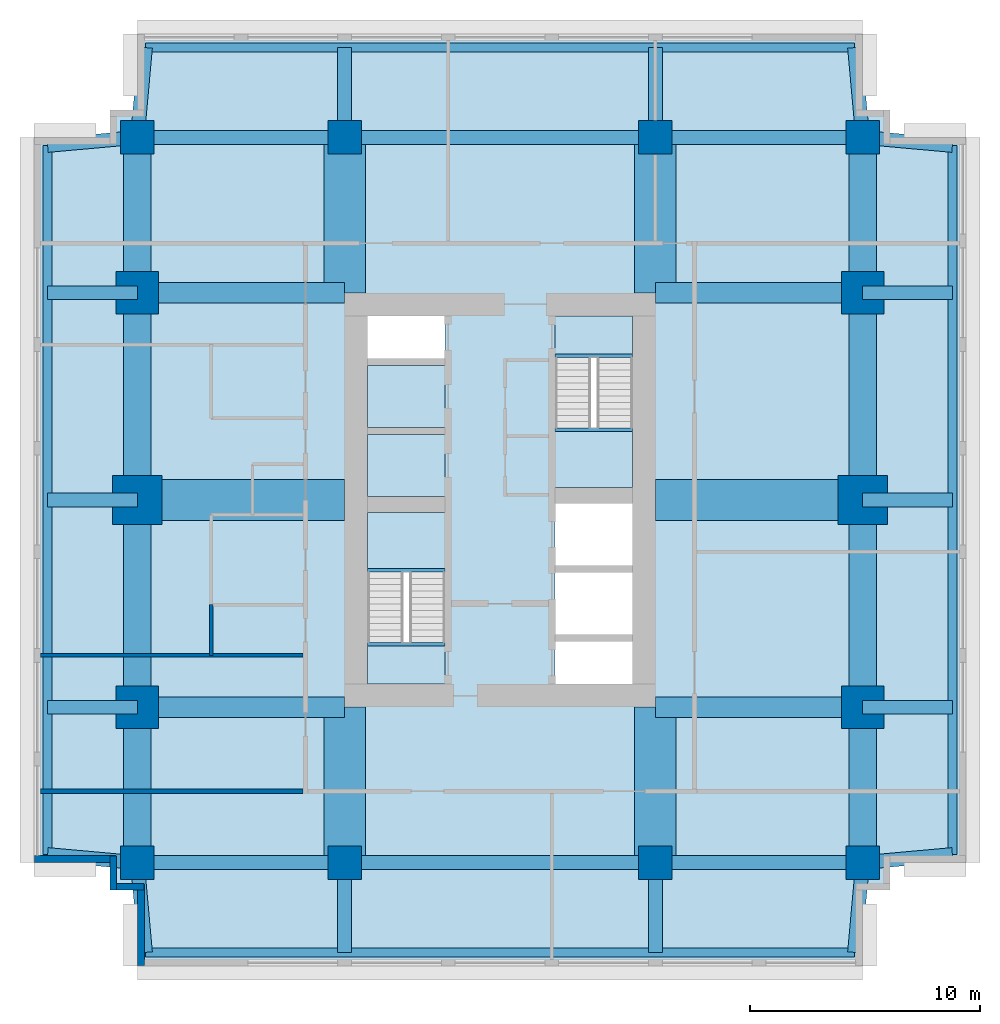
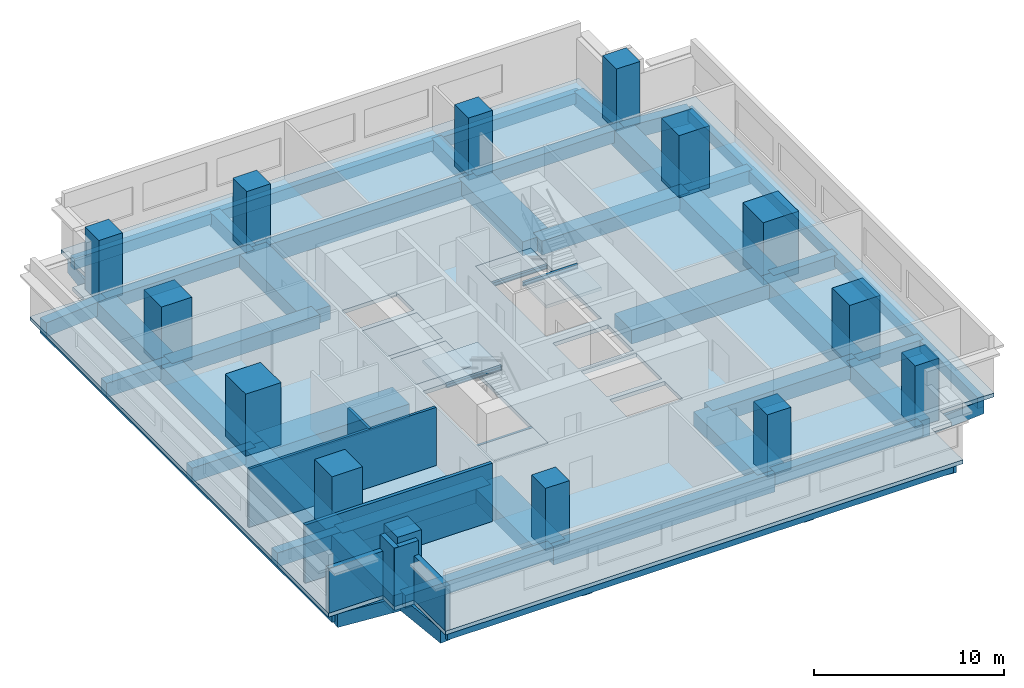
# One storey, part 1 of 5: 50 beams, 14 columns, 7 slabs, 7 walls, 2 elements without a shape of their own.
"""IFC4 building model written with IfcOpenShell, lengths in metres."""

from ifc_helpers import new_model, si_unit, direction, frame, frame_2d, origin, origin_2d, place, context, subcontext, project, spatial, polyline, rectangle, i_section, outline, extrude, material, layer, layer_set, material_profile, profile_set, type_object, element, aggregate, save


model = new_model("IFC4")

# Units and contexts
model_context = context("Model", 3, precision=1e-05, world=origin(), true_north=direction((0.0, 1.0)))
body_context = subcontext(model_context, "Body", "Model", "MODEL_VIEW")
ifc_project = project(units=[si_unit("LENGTHUNIT", "METRE"), si_unit("AREAUNIT", "SQUARE_METRE"), si_unit("VOLUMEUNIT", "CUBIC_METRE"), si_unit("PLANEANGLEUNIT", "RADIAN"), si_unit("MASSUNIT", "GRAM", prefix="KILO")], contexts=[model_context])

# Site, building, storey
site_placement = place(None, origin())
site = spatial("IfcSite", under=ifc_project, at=site_placement, CompositionType="ELEMENT")
building_placement = place(site_placement, origin())
building = spatial("IfcBuilding", under=site, at=building_placement, Name="Namib Vertical Campus", CompositionType="ELEMENT")
storey_placement = place(building_placement, frame((0.0, 0.0, 265.0)))
storey = spatial("IfcBuildingStorey", under=building, at=storey_placement, Name="L62", CompositionType="ELEMENT", Elevation=265.0)

# Columns
ifc_material_1 = material(Name="Concrete C60/75", Category="concrete")
ifc_material_profile_1 = material_profile(ifc_material_1, rectangle(XDim=1.449951171875, YDim=1.449951171875, at=origin_2d()))
ifc_profile_set_1 = profile_set([ifc_material_profile_1], Name="Concrete C60/75")
column_type_1 = type_object("IfcColumnType", Name="Column RC 1450x1450", PredefinedType="COLUMN", material=ifc_profile_set_1)
for number, where, z_axis, x_axis, name in (
    (1, (4.5, 4.5, 0.0), (0.0, 0.0, 1.0), (1.0, 0.0, 0.0), "Column C145 L62"),
    (2, (13.5, 4.5, 0.0), (0.0, 0.0, 1.0), (1.0, 0.0, 0.0), "Column C145 L62"),
    (3, (27.0, 4.5, 0.0), (0.0, 0.0, 1.0), (1.0, 0.0, 0.0), "Column C145 L62"),
    (4, (36.0, 4.5, 0.0), (0.0, 0.0, 1.0), (1.0, 0.0, 0.0), "Column C145 L62"),
    (5, (4.5, 36.0, 0.0), (0.0, 0.0, 1.0), (1.0, 0.0, 0.0), "Column C145 L62"),
    (6, (13.5, 36.0, 0.0), (0.0, 0.0, 1.0), (1.0, 0.0, 0.0), "Column C145 L62"),
    (7, (27.0, 36.0, 0.0), (0.0, 0.0, 1.0), (1.0, 0.0, 0.0), "Column C145 L62"),
    (8, (36.0, 36.0, 0.0), (0.0, 0.0, 1.0), (1.0, 0.0, 0.0), "Column C145 L62"),
):
    element("IfcColumn", number, at=place(storey_placement, frame(where, z_axis=z_axis, x_axis=x_axis)), inside=storey, type_object=column_type_1, Name=name, PredefinedType="COLUMN", context=body_context, shape_type="SweptSolid", body=[
        extrude(rectangle(XDim=1.449951171875, YDim=1.449951171875, at=origin_2d()), origin(), (0.0, 0.0, 1.0), 4.0),
    ])
ifc_material_2 = material(Name="Concrete C60/75", Category="concrete")
ifc_material_profile_2 = material_profile(ifc_material_2, rectangle(XDim=1.85009765625, YDim=1.85009765625, at=origin_2d()))
ifc_profile_set_2 = profile_set([ifc_material_profile_2], Name="Concrete C60/75")
column_type_2 = type_object("IfcColumnType", Name="Column RC 1850x1850", PredefinedType="COLUMN", material=ifc_profile_set_2)
for number, where, z_axis, x_axis, name in (
    (9, (4.5, 11.25, 0.0), (0.0, 0.0, 1.0), (1.0, 0.0, 0.0), "Column C185 L62"),
    (10, (36.0, 11.25, 0.0), (0.0, 0.0, 1.0), (1.0, 0.0, 0.0), "Column C185 L62"),
    (11, (4.5, 29.25, 0.0), (0.0, 0.0, 1.0), (1.0, 0.0, 0.0), "Column C185 L62"),
    (12, (36.0, 29.25, 0.0), (0.0, 0.0, 1.0), (1.0, 0.0, 0.0), "Column C185 L62"),
):
    element("IfcColumn", number, at=place(storey_placement, frame(where, z_axis=z_axis, x_axis=x_axis)), inside=storey, type_object=column_type_2, Name=name, PredefinedType="COLUMN", context=body_context, shape_type="SweptSolid", body=[
        extrude(rectangle(XDim=1.85009765625, YDim=1.85009765625, at=origin_2d()), origin(), (0.0, 0.0, 1.0), 4.0),
    ])
ifc_material_3 = material(Name="Concrete C60/75", Category="concrete")
ifc_material_profile_3 = material_profile(ifc_material_3, rectangle(XDim=2.14990234375, YDim=2.14990234375, at=origin_2d()))
ifc_profile_set_3 = profile_set([ifc_material_profile_3], Name="Concrete C60/75")
column_type_3 = type_object("IfcColumnType", Name="Column RC 2150x2150", PredefinedType="COLUMN", material=ifc_profile_set_3)
for number, where, z_axis, x_axis, name in (
    (13, (4.5, 20.25, 0.0), (0.0, 0.0, 1.0), (1.0, 0.0, 0.0), "Column C215 L62"),
    (14, (36.0, 20.25, 0.0), (0.0, 0.0, 1.0), (1.0, 0.0, 0.0), "Column C215 L62"),
):
    element("IfcColumn", number, at=place(storey_placement, frame(where, z_axis=z_axis, x_axis=x_axis)), inside=storey, type_object=column_type_3, Name=name, PredefinedType="COLUMN", context=body_context, shape_type="SweptSolid", body=[
        extrude(rectangle(XDim=2.14990234375, YDim=2.14990234375, at=origin_2d()), origin(), (0.0, 0.0, 1.0), 4.0),
    ])

# Beams
ifc_material_4 = material(Name="Concrete C40/50", Category="concrete")
ifc_material_profile_4 = material_profile(ifc_material_4, rectangle(XDim=0.60009765625, YDim=0.89990234375, at=origin_2d()))
ifc_profile_set_4 = profile_set([ifc_material_profile_4], Name="Concrete C40/50")
beam_type_1 = type_object("IfcBeamType", Name="Cantilever girder RC 600x900", PredefinedType="BEAM", material=ifc_profile_set_4)
beam_1_placement = place(storey_placement, frame((4.5, 4.5, -0.699951171875), z_axis=(0.089411326146, -0.995994786511, 0.0), x_axis=(0.995994786511, 0.089411326146, 0.0)))
element("IfcBeam", 15, at=beam_1_placement, inside=storey, type_object=beam_type_1, Name="Beam B3 L62", PredefinedType="BEAM", context=body_context, shape_type="SweptSolid", body=[
    extrude(rectangle(XDim=0.60009765625, YDim=0.89990234375, at=origin_2d()), origin(), (0.0, 0.0, 1.0), 3.91552734375),
])
for number, where, z_axis, x_axis, name in (
    (16, (13.5, 4.5, -0.699951171875), (0.0, -1.0, 0.0), (1.0, 0.0, 0.0), "Beam B3 L62"),
    (17, (27.0, 4.5, -0.699951171875), (0.0, -1.0, 0.0), (1.0, 0.0, 0.0), "Beam B3 L62"),
):
    element("IfcBeam", number, at=place(storey_placement, frame(where, z_axis=z_axis, x_axis=x_axis)), inside=storey, type_object=beam_type_1, Name=name, PredefinedType="BEAM", context=body_context, shape_type="SweptSolid", body=[
        extrude(rectangle(XDim=0.60009765625, YDim=0.89990234375, at=origin_2d()), origin(), (0.0, 0.0, 1.0), 3.89990234375),
    ])
for number, where, z_axis, x_axis, name in (
    (18, (36.0, 4.5, -0.699951171875), (-0.089411326146, -0.995994786511, 0.0), (0.995994786511, -0.089411326146, 0.0), "Beam B3 L62"),
    (19, (4.5, 36.0, -0.699951171875), (0.089411326146, 0.995994786511, 0.0), (-0.995994786511, 0.089411326146, 0.0), "Beam B3 L62"),
):
    element("IfcBeam", number, at=place(storey_placement, frame(where, z_axis=z_axis, x_axis=x_axis)), inside=storey, type_object=beam_type_1, Name=name, PredefinedType="BEAM", context=body_context, shape_type="SweptSolid", body=[
        extrude(rectangle(XDim=0.60009765625, YDim=0.89990234375, at=origin_2d()), origin(), (0.0, 0.0, 1.0), 3.91552734375),
    ])
for number, where, z_axis, x_axis, name in (
    (20, (13.5, 36.0, -0.699951171875), (0.0, 1.0, 0.0), (-1.0, 0.0, 0.0), "Beam B3 L62"),
    (21, (27.0, 36.0, -0.699951171875), (0.0, 1.0, 0.0), (-1.0, 0.0, 0.0), "Beam B3 L62"),
):
    element("IfcBeam", number, at=place(storey_placement, frame(where, z_axis=z_axis, x_axis=x_axis)), inside=storey, type_object=beam_type_1, Name=name, PredefinedType="BEAM", context=body_context, shape_type="SweptSolid", body=[
        extrude(rectangle(XDim=0.60009765625, YDim=0.89990234375, at=origin_2d()), origin(), (0.0, 0.0, 1.0), 3.89990234375),
    ])
for number, where, z_axis, x_axis, name in (
    (22, (36.0, 36.0, -0.699951171875), (-0.089411326146, 0.995994786511, 0.0), (-0.995994786511, -0.089411326146, 0.0), "Beam B3 L62"),
    (23, (4.5, 4.5, -0.699951171875), (-0.995994786511, 0.089411326146, 0.0), (-0.089411326146, -0.995994786511, 0.0), "Beam B3 L62"),
):
    element("IfcBeam", number, at=place(storey_placement, frame(where, z_axis=z_axis, x_axis=x_axis)), inside=storey, type_object=beam_type_1, Name=name, PredefinedType="BEAM", context=body_context, shape_type="SweptSolid", body=[
        extrude(rectangle(XDim=0.60009765625, YDim=0.89990234375, at=origin_2d()), origin(), (0.0, 0.0, 1.0), 3.91552734375),
    ])
for number, where, z_axis, x_axis, name in (
    (24, (4.5, 11.25, -0.699951171875), (-1.0, 0.0, 0.0), (0.0, -1.0, 0.0), "Beam B3 L62"),
    (25, (4.5, 20.25, -0.699951171875), (-1.0, 0.0, 0.0), (0.0, -1.0, 0.0), "Beam B3 L62"),
    (26, (4.5, 29.25, -0.699951171875), (-1.0, 0.0, 0.0), (0.0, -1.0, 0.0), "Beam B3 L62"),
):
    element("IfcBeam", number, at=place(storey_placement, frame(where, z_axis=z_axis, x_axis=x_axis)), inside=storey, type_object=beam_type_1, Name=name, PredefinedType="BEAM", context=body_context, shape_type="SweptSolid", body=[
        extrude(rectangle(XDim=0.60009765625, YDim=0.89990234375, at=origin_2d()), origin(), (0.0, 0.0, 1.0), 3.89990234375),
    ])
for number, where, z_axis, x_axis, name in (
    (27, (4.5, 36.0, -0.699951171875), (-0.995994786511, -0.089411326146, 0.0), (0.089411326146, -0.995994786511, 0.0), "Beam B3 L62"),
    (28, (36.0, 4.5, -0.699951171875), (0.995994786511, 0.089411326146, 0.0), (-0.089411326146, 0.995994786511, 0.0), "Beam B3 L62"),
):
    element("IfcBeam", number, at=place(storey_placement, frame(where, z_axis=z_axis, x_axis=x_axis)), inside=storey, type_object=beam_type_1, Name=name, PredefinedType="BEAM", context=body_context, shape_type="SweptSolid", body=[
        extrude(rectangle(XDim=0.60009765625, YDim=0.89990234375, at=origin_2d()), origin(), (0.0, 0.0, 1.0), 3.91552734375),
    ])
for number, where, z_axis, x_axis, name in (
    (29, (36.0, 11.25, -0.699951171875), (1.0, 0.0, 0.0), (0.0, 1.0, 0.0), "Beam B3 L62"),
    (30, (36.0, 20.25, -0.699951171875), (1.0, 0.0, 0.0), (0.0, 1.0, 0.0), "Beam B3 L62"),
    (31, (36.0, 29.25, -0.699951171875), (1.0, 0.0, 0.0), (0.0, 1.0, 0.0), "Beam B3 L62"),
):
    element("IfcBeam", number, at=place(storey_placement, frame(where, z_axis=z_axis, x_axis=x_axis)), inside=storey, type_object=beam_type_1, Name=name, PredefinedType="BEAM", context=body_context, shape_type="SweptSolid", body=[
        extrude(rectangle(XDim=0.60009765625, YDim=0.89990234375, at=origin_2d()), origin(), (0.0, 0.0, 1.0), 3.89990234375),
    ])
beam_2_placement = place(storey_placement, frame((36.0, 36.0, -0.699951171875), z_axis=(0.995994786511, -0.089411326146, 0.0), x_axis=(0.089411326146, 0.995994786511, 0.0)))
element("IfcBeam", 32, at=beam_2_placement, inside=storey, type_object=beam_type_1, Name="Beam B3 L62", PredefinedType="BEAM", context=body_context, shape_type="SweptSolid", body=[
    extrude(rectangle(XDim=0.60009765625, YDim=0.89990234375, at=origin_2d()), origin(), (0.0, 0.0, 1.0), 3.91552734375),
])
ifc_material_5 = material(Name="Concrete C40/50", Category="concrete")
ifc_material_profile_5 = material_profile(ifc_material_5, rectangle(XDim=0.39990234375, YDim=0.699951171875, at=origin_2d()))
ifc_profile_set_5 = profile_set([ifc_material_profile_5], Name="Concrete C40/50")
beam_type_2 = type_object("IfcBeamType", Name="Edge beam RC 400x700", PredefinedType="SPANDREL", material=ifc_profile_set_5)
for number, where, z_axis, x_axis, name in (
    (33, (4.85009765625, 0.60009765625, -0.60009765625), (1.0, 0.0, 0.0), (0.0, 1.0, 0.0), "Beam B4 L62"),
    (34, (4.85009765625, 39.89990234375, -0.60009765625), (1.0, 0.0, 0.0), (0.0, 1.0, 0.0), "Beam B4 L62"),
    (35, (0.60009765625, 4.85009765625, -0.60009765625), (0.0, 1.0, 0.0), (-1.0, 0.0, 0.0), "Beam B4 L62"),
    (36, (39.89990234375, 4.85009765625, -0.60009765625), (0.0, 1.0, 0.0), (-1.0, 0.0, 0.0), "Beam B4 L62"),
):
    element("IfcBeam", number, at=place(storey_placement, frame(where, z_axis=z_axis, x_axis=x_axis)), inside=storey, type_object=beam_type_2, Name=name, PredefinedType="SPANDREL", context=body_context, shape_type="SweptSolid", body=[
        extrude(rectangle(XDim=0.39990234375, YDim=0.699951171875, at=origin_2d()), origin(), (0.0, 0.0, 1.0), 30.7998046875),
    ])
ifc_material_6 = material(Name="Concrete C40/50", Category="concrete")
ifc_material_profile_6 = material_profile(ifc_material_6, rectangle(XDim=0.89990234375, YDim=0.89990234375, at=origin_2d()))
ifc_profile_set_6 = profile_set([ifc_material_profile_6], Name="Concrete C40/50")
beam_type_3 = type_object("IfcBeamType", Name="Face girder RC 900x900", PredefinedType="BEAM", material=ifc_profile_set_6)
for number, where, z_axis, x_axis, name in (
    (37, (4.5, 11.25, -0.699951171875), (1.0, 0.0, 0.0), (0.0, 1.0, 0.0), "Beam B10 L62"),
    (38, (36.0, 11.25, -0.699951171875), (-1.0, 0.0, 0.0), (0.0, -1.0, 0.0), "Beam B10 L62"),
    (39, (4.5, 29.25, -0.699951171875), (1.0, 0.0, 0.0), (0.0, 1.0, 0.0), "Beam B10 L62"),
    (40, (36.0, 29.25, -0.699951171875), (-1.0, 0.0, 0.0), (0.0, -1.0, 0.0), "Beam B10 L62"),
):
    element("IfcBeam", number, at=place(storey_placement, frame(where, z_axis=z_axis, x_axis=x_axis)), inside=storey, type_object=beam_type_3, Name=name, PredefinedType="BEAM", context=body_context, shape_type="SweptSolid", body=[
        extrude(rectangle(XDim=0.89990234375, YDim=0.89990234375, at=origin_2d()), origin(), (0.0, 0.0, 1.0), 9.0),
    ])
ifc_material_7 = material(Name="Concrete C40/50", Category="concrete")
ifc_material_profile_7 = material_profile(ifc_material_7, rectangle(XDim=1.199951171875, YDim=1.10009765625, at=origin_2d()))
ifc_profile_set_7 = profile_set([ifc_material_profile_7], Name="Concrete C40/50")
beam_type_4 = type_object("IfcBeamType", Name="Face ring beam RC 1200x1100", PredefinedType="BEAM", material=ifc_profile_set_7)
beam_3_placement = place(storey_placement, frame((4.5, 4.5, -0.800048828125), z_axis=(0.0, 1.0, 0.0), x_axis=(-1.0, 0.0, 0.0)))
element("IfcBeam", 41, at=beam_3_placement, inside=storey, type_object=beam_type_4, Name="Beam B11 L62", PredefinedType="BEAM", context=body_context, shape_type="SweptSolid", body=[
    extrude(rectangle(XDim=1.199951171875, YDim=1.10009765625, at=origin_2d()), origin(), (0.0, 0.0, 1.0), 6.75),
])
for number, where, z_axis, x_axis, name in (
    (42, (4.5, 11.25, -0.800048828125), (0.0, 1.0, 0.0), (-1.0, 0.0, 0.0), "Beam B11 L62"),
    (43, (4.5, 20.25, -0.800048828125), (0.0, 1.0, 0.0), (-1.0, 0.0, 0.0), "Beam B11 L62"),
):
    element("IfcBeam", number, at=place(storey_placement, frame(where, z_axis=z_axis, x_axis=x_axis)), inside=storey, type_object=beam_type_4, Name=name, PredefinedType="BEAM", context=body_context, shape_type="SweptSolid", body=[
        extrude(rectangle(XDim=1.199951171875, YDim=1.10009765625, at=origin_2d()), origin(), (0.0, 0.0, 1.0), 9.0),
    ])
for number, where, z_axis, x_axis, name in (
    (44, (4.5, 29.25, -0.800048828125), (0.0, 1.0, 0.0), (-1.0, 0.0, 0.0), "Beam B11 L62"),
    (45, (36.0, 4.5, -0.800048828125), (0.0, 1.0, 0.0), (-1.0, 0.0, 0.0), "Beam B11 L62"),
):
    element("IfcBeam", number, at=place(storey_placement, frame(where, z_axis=z_axis, x_axis=x_axis)), inside=storey, type_object=beam_type_4, Name=name, PredefinedType="BEAM", context=body_context, shape_type="SweptSolid", body=[
        extrude(rectangle(XDim=1.199951171875, YDim=1.10009765625, at=origin_2d()), origin(), (0.0, 0.0, 1.0), 6.75),
    ])
for number, where, z_axis, x_axis, name in (
    (46, (36.0, 11.25, -0.800048828125), (0.0, 1.0, 0.0), (-1.0, 0.0, 0.0), "Beam B11 L62"),
    (47, (36.0, 20.25, -0.800048828125), (0.0, 1.0, 0.0), (-1.0, 0.0, 0.0), "Beam B11 L62"),
):
    element("IfcBeam", number, at=place(storey_placement, frame(where, z_axis=z_axis, x_axis=x_axis)), inside=storey, type_object=beam_type_4, Name=name, PredefinedType="BEAM", context=body_context, shape_type="SweptSolid", body=[
        extrude(rectangle(XDim=1.199951171875, YDim=1.10009765625, at=origin_2d()), origin(), (0.0, 0.0, 1.0), 9.0),
    ])
beam_4_placement = place(storey_placement, frame((36.0, 29.25, -0.800048828125), z_axis=(0.0, 1.0, 0.0), x_axis=(-1.0, 0.0, 0.0)))
element("IfcBeam", 48, at=beam_4_placement, inside=storey, type_object=beam_type_4, Name="Beam B11 L62", PredefinedType="BEAM", context=body_context, shape_type="SweptSolid", body=[
    extrude(rectangle(XDim=1.199951171875, YDim=1.10009765625, at=origin_2d()), origin(), (0.0, 0.0, 1.0), 6.75),
])
ifc_material_8 = material(Name="Steel S355JR", Category="steel")
ifc_material_profile_8 = material_profile(ifc_material_8, i_section(OverallWidth=0.14599609375, OverallDepth=0.25146484375, WebThickness=0.006103515625, FlangeThickness=0.008544921875, FilletRadius=0.007568359375, at=origin_2d()))
ifc_profile_set_8 = profile_set([ifc_material_profile_8], Name="Steel S355JR")
beam_type_5 = type_object("IfcBeamType", Name="Landing trimmer UB 254x146x31", PredefinedType="BEAM", material=ifc_profile_set_8)
for number, where, z_axis, x_axis, name in (
    (49, (14.5, 13.97705078125, -0.125732421875), (1.0, 0.0, 0.0), (0.0, 1.0, 0.0), "Landing trimmer LT1 A-S1 L62 1"),
    (50, (14.5, 17.203125, 1.874267578125), (1.0, 0.0, 0.0), (0.0, 1.0, 0.0), "Landing trimmer LT1 A-S1 L62 2"),
    (51, (22.64990234375, 26.52294921875, -0.125732421875), (1.0, 0.0, 0.0), (0.0, 1.0, 0.0), "Landing trimmer LT1 A-S2 L62 1"),
    (52, (22.64990234375, 23.296875, 1.874267578125), (1.0, 0.0, 0.0), (0.0, 1.0, 0.0), "Landing trimmer LT1 A-S2 L62 2"),
):
    element("IfcBeam", number, at=place(storey_placement, frame(where, z_axis=z_axis, x_axis=x_axis)), inside=storey, type_object=beam_type_5, Name=name, PredefinedType="BEAM", context=body_context, shape_type="SweptSolid", body=[
        extrude(i_section(OverallWidth=0.14599609375, OverallDepth=0.25146484375, WebThickness=0.006103515625, FlangeThickness=0.008544921875, FilletRadius=0.007568359375, at=origin_2d()), origin(), (0.0, 0.0, 1.0), 3.35009765625),
    ])
ifc_material_9 = material(Name="Concrete C40/50", Category="concrete")
ifc_material_profile_9 = material_profile(ifc_material_9, rectangle(XDim=0.60009765625, YDim=1.199951171875, at=origin_2d()))
ifc_profile_set_9 = profile_set([ifc_material_profile_9], Name="Concrete C40/50")
beam_type_6 = type_object("IfcBeamType", Name="Long-span ring beam RC 600x1200", PredefinedType="BEAM", material=ifc_profile_set_9)
for number, where, z_axis, x_axis, name in (
    (53, (13.5, 4.5, -0.85009765625), (1.0, 0.0, 0.0), (0.0, 1.0, 0.0), "Beam B9 L62"),
    (54, (13.5, 36.0, -0.85009765625), (1.0, 0.0, 0.0), (0.0, 1.0, 0.0), "Beam B9 L62"),
):
    element("IfcBeam", number, at=place(storey_placement, frame(where, z_axis=z_axis, x_axis=x_axis)), inside=storey, type_object=beam_type_6, Name=name, PredefinedType="BEAM", context=body_context, shape_type="SweptSolid", body=[
        extrude(rectangle(XDim=0.60009765625, YDim=1.199951171875, at=origin_2d()), origin(), (0.0, 0.0, 1.0), 13.5),
    ])
ifc_material_10 = material(Name="Concrete C40/50", Category="concrete")
ifc_material_profile_10 = material_profile(ifc_material_10, rectangle(XDim=1.800048828125, YDim=0.89990234375, at=origin_2d()))
ifc_profile_set_10 = profile_set([ifc_material_profile_10], Name="Concrete C40/50")
beam_type_7 = type_object("IfcBeamType", Name="Outrigger line girder RC 1800x900", PredefinedType="BEAM", material=ifc_profile_set_10)
for number, where, z_axis, x_axis, name in (
    (55, (13.5, 4.5, -0.699951171875), (0.0, 1.0, 0.0), (-1.0, 0.0, 0.0), "Beam B12 L62"),
    (56, (13.5, 36.0, -0.699951171875), (0.0, -1.0, 0.0), (1.0, 0.0, 0.0), "Beam B12 L62"),
    (57, (27.0, 4.5, -0.699951171875), (0.0, 1.0, 0.0), (-1.0, 0.0, 0.0), "Beam B12 L62"),
    (58, (27.0, 36.0, -0.699951171875), (0.0, -1.0, 0.0), (1.0, 0.0, 0.0), "Beam B12 L62"),
):
    element("IfcBeam", number, at=place(storey_placement, frame(where, z_axis=z_axis, x_axis=x_axis)), inside=storey, type_object=beam_type_7, Name=name, PredefinedType="BEAM", context=body_context, shape_type="SweptSolid", body=[
        extrude(rectangle(XDim=1.800048828125, YDim=0.89990234375, at=origin_2d()), origin(), (0.0, 0.0, 1.0), 6.75),
    ])
for number, where, z_axis, x_axis, name in (
    (59, (4.5, 20.25, -0.699951171875), (1.0, 0.0, 0.0), (0.0, 1.0, 0.0), "Beam B12 L62"),
    (60, (36.0, 20.25, -0.699951171875), (-1.0, 0.0, 0.0), (0.0, -1.0, 0.0), "Beam B12 L62"),
):
    element("IfcBeam", number, at=place(storey_placement, frame(where, z_axis=z_axis, x_axis=x_axis)), inside=storey, type_object=beam_type_7, Name=name, PredefinedType="BEAM", context=body_context, shape_type="SweptSolid", body=[
        extrude(rectangle(XDim=1.800048828125, YDim=0.89990234375, at=origin_2d()), origin(), (0.0, 0.0, 1.0), 9.0),
    ])
ifc_material_11 = material(Name="Concrete C40/50", Category="concrete")
ifc_material_profile_11 = material_profile(ifc_material_11, rectangle(XDim=0.60009765625, YDim=0.800048828125, at=origin_2d()))
ifc_profile_set_11 = profile_set([ifc_material_profile_11], Name="Concrete C40/50")
beam_type_8 = type_object("IfcBeamType", Name="Ring beam RC 600x800", PredefinedType="BEAM", material=ifc_profile_set_11)
for number, where, z_axis, x_axis, name in (
    (61, (4.5, 4.5, -0.64990234375), (1.0, 0.0, 0.0), (0.0, 1.0, 0.0), "Beam B1 L62"),
    (62, (27.0, 4.5, -0.64990234375), (1.0, 0.0, 0.0), (0.0, 1.0, 0.0), "Beam B1 L62"),
    (63, (4.5, 36.0, -0.64990234375), (1.0, 0.0, 0.0), (0.0, 1.0, 0.0), "Beam B1 L62"),
    (64, (27.0, 36.0, -0.64990234375), (1.0, 0.0, 0.0), (0.0, 1.0, 0.0), "Beam B1 L62"),
):
    element("IfcBeam", number, at=place(storey_placement, frame(where, z_axis=z_axis, x_axis=x_axis)), inside=storey, type_object=beam_type_8, Name=name, PredefinedType="BEAM", context=body_context, shape_type="SweptSolid", body=[
        extrude(rectangle(XDim=0.60009765625, YDim=0.800048828125, at=origin_2d()), origin(), (0.0, 0.0, 1.0), 9.0),
    ])

# Slabs
ifc_material_12 = material(Name="Concrete C40/50", Category="concrete")
ifc_layer_1 = layer(ifc_material_12, 0.25)
ifc_layer_set_1 = layer_set([ifc_layer_1], Name="Concrete C40/50")
slab_type_1 = type_object("IfcSlabType", Name="Floor slab 250", PredefinedType="FLOOR", material=ifc_layer_set_1)
slab_1_placement = place(storey_placement, frame((0.0, 0.0, -0.25)))
element("IfcSlab", 65, at=slab_1_placement, inside=storey, type_object=slab_type_1, Name="Floor slab A L62", PredefinedType="FLOOR", context=body_context, shape_type="SweptSolid", body=[
    extrude(outline(polyline([(4.5, 0.0), (36.0, 0.0), (36.0, 3.300048828125), (37.199951171875, 3.300048828125), (37.199951171875, 4.5), (40.5, 4.5), (40.5, 36.0), (37.199951171875, 36.0), (37.199951171875, 37.199951171875), (36.0, 37.199951171875), (36.0, 40.5), (4.5, 40.5), (4.5, 37.199951171875), (3.300048828125, 37.199951171875), (3.300048828125, 36.0), (0.0, 36.0), (0.0, 4.5), (3.300048828125, 4.5), (3.300048828125, 3.300048828125), (4.5, 3.300048828125), (4.5, 0.0)]), holes=[polyline([(14.5, 12.25), (17.85009765625, 12.25), (17.85009765625, 19.699951171875), (14.5, 19.699951171875), (14.5, 12.25)]), polyline([(22.64990234375, 20.800048828125), (26.0, 20.800048828125), (26.0, 28.25), (22.64990234375, 28.25), (22.64990234375, 20.800048828125)]), polyline([(22.64990234375, 12.25), (26.0, 12.25), (26.0, 14.10009765625), (22.64990234375, 14.10009765625), (22.64990234375, 12.25)]), polyline([(14.5, 20.39990234375), (17.85009765625, 20.39990234375), (17.85009765625, 23.10009765625), (14.5, 23.10009765625), (14.5, 20.39990234375)]), polyline([(14.5, 23.39990234375), (17.85009765625, 23.39990234375), (17.85009765625, 26.10009765625), (14.5, 26.10009765625), (14.5, 23.39990234375)]), polyline([(14.5, 26.39990234375), (17.85009765625, 26.39990234375), (17.85009765625, 28.25), (14.5, 28.25), (14.5, 26.39990234375)]), polyline([(22.64990234375, 14.39990234375), (26.0, 14.39990234375), (26.0, 17.10009765625), (22.64990234375, 17.10009765625), (22.64990234375, 14.39990234375)]), polyline([(22.64990234375, 17.39990234375), (26.0, 17.39990234375), (26.0, 20.10009765625), (22.64990234375, 20.10009765625), (22.64990234375, 17.39990234375)])]), origin(), (0.0, 0.0, 1.0), 0.25),
])
ifc_material_13 = material(Name="Concrete C40/50 precast", Category="concrete")
ifc_layer_2 = layer(ifc_material_13, 0.25)
ifc_layer_set_2 = layer_set([ifc_layer_2], Name="Concrete C40/50 precast")
slab_type_2 = type_object("IfcSlabType", Name="Shaft infill floor 250", PredefinedType="FLOOR", material=ifc_layer_set_2)
slab_2_placement = place(storey_placement, frame((0.0, 0.0, -0.25)))
element("IfcSlab", 66, at=slab_2_placement, inside=storey, type_object=slab_type_2, Name="Shaft infill floor A L62 P1", PredefinedType="FLOOR", context=body_context, shape_type="SweptSolid", body=[
    extrude(outline(polyline([(14.5, 20.39990234375), (17.85009765625, 20.39990234375), (17.85009765625, 23.10009765625), (14.5, 23.10009765625), (14.5, 20.39990234375)])), origin(), (0.0, 0.0, 1.0), 0.25),
])
slab_3_placement = place(storey_placement, frame((0.0, 0.0, -0.25)))
element("IfcSlab", 67, at=slab_3_placement, inside=storey, type_object=slab_type_2, Name="Shaft infill floor A L62 P2", PredefinedType="FLOOR", context=body_context, shape_type="SweptSolid", body=[
    extrude(outline(polyline([(14.5, 23.39990234375), (17.85009765625, 23.39990234375), (17.85009765625, 26.10009765625), (14.5, 26.10009765625), (14.5, 23.39990234375)])), origin(), (0.0, 0.0, 1.0), 0.25),
])

# Stair, slabs
ifc_material_14 = material(Name="Concrete C40/50 precast", Category="concrete")
stair_type = type_object("IfcStairType", Name="Exit stair 4000 rise 24 risers 3350 wide", PredefinedType="HALF_TURN_STAIR", material=ifc_material_14)
stair_1_placement = place(storey_placement, origin())
stair_1 = element("IfcStair", 68, at=stair_1_placement, inside=storey, type_object=stair_type, Name="Exit stair A-S1 L62", PredefinedType="HALF_TURN_STAIR")
ifc_material_15 = material(Name="Concrete C40/50", Category="concrete")
ifc_layer_3 = layer(ifc_material_15, 0.199951171875)
ifc_layer_set_3 = layer_set([ifc_layer_3], Name="Concrete C40/50")
slab_type_3 = type_object("IfcSlabType", Name="Stair landing 200", PredefinedType="LANDING", material=ifc_layer_set_3)
slab_4_placement = place(storey_placement, frame((0.0, 0.0, -0.199951171875)))
slab_4 = element("IfcSlab", 69, at=slab_4_placement, type_object=slab_type_3, Name="A-S1 landing 1", PredefinedType="LANDING", context=body_context, shape_type="SweptSolid", body=[
    extrude(outline(polyline([(14.5, 12.25), (17.85009765625, 12.25), (17.85009765625, 13.90380859375), (14.5, 13.90380859375), (14.5, 12.25)])), origin(), (0.0, 0.0, 1.0), 0.199951171875),
])
slab_5_placement = place(storey_placement, frame((0.0, 0.0, 1.800048828125)))
slab_5 = element("IfcSlab", 70, at=slab_5_placement, type_object=slab_type_3, Name="A-S1 landing 2", PredefinedType="LANDING", context=body_context, shape_type="SweptSolid", body=[
    extrude(outline(polyline([(14.5, 17.276123046875), (17.85009765625, 17.276123046875), (17.85009765625, 19.699951171875), (14.5, 19.699951171875), (14.5, 17.276123046875)])), origin(), (0.0, 0.0, 1.0), 0.199951171875),
])
aggregate(stair_1, [slab_4, slab_5])

stair_2_placement = place(storey_placement, origin())
stair_2 = element("IfcStair", 71, at=stair_2_placement, inside=storey, type_object=stair_type, Name="Exit stair A-S2 L62", PredefinedType="HALF_TURN_STAIR")
slab_6_placement = place(storey_placement, frame((0.0, 0.0, -0.199951171875)))
slab_6 = element("IfcSlab", 72, at=slab_6_placement, type_object=slab_type_3, Name="A-S2 landing 1", PredefinedType="LANDING", context=body_context, shape_type="SweptSolid", body=[
    extrude(outline(polyline([(22.64990234375, 26.59619140625), (26.0, 26.59619140625), (26.0, 28.25), (22.64990234375, 28.25), (22.64990234375, 26.59619140625)])), origin(), (0.0, 0.0, 1.0), 0.199951171875),
])
slab_7_placement = place(storey_placement, frame((0.0, 0.0, 1.800048828125)))
slab_7 = element("IfcSlab", 73, at=slab_7_placement, type_object=slab_type_3, Name="A-S2 landing 2", PredefinedType="LANDING", context=body_context, shape_type="SweptSolid", body=[
    extrude(outline(polyline([(22.64990234375, 20.800048828125), (26.0, 20.800048828125), (26.0, 23.223876953125), (22.64990234375, 23.223876953125), (22.64990234375, 20.800048828125)])), origin(), (0.0, 0.0, 1.0), 0.199951171875),
])
aggregate(stair_2, [slab_6, slab_7])

# Walls
ifc_material_16 = material(Name="Concrete masonry", Category="masonry")
ifc_layer_4 = layer(ifc_material_16, 0.199951171875)
ifc_layer_set_4 = layer_set([ifc_layer_4], Name="Corridor wall 200")
wall_type_1 = type_object("IfcWallType", Name="Corridor wall 200", PredefinedType="SOLIDWALL", material=ifc_layer_set_4)
wall_1_placement = place(storey_placement, frame((0.300048828125, 7.60009765625, 0.0), z_axis=(0.0, 0.0, 1.0), x_axis=(1.0, 0.0, 0.0)))
element("IfcWall", 74, at=wall_1_placement, inside=storey, type_object=wall_type_1, Name="Partition A L62 BSW", PredefinedType="SOLIDWALL", context=body_context, shape_type="SweptSolid", body=[
    extrude(rectangle(XDim=11.39990234375, YDim=0.199951171875, at=frame_2d((5.699951171875, 0.0))), origin(), (0.0, 0.0, 1.0), 3.75),
])
ifc_material_17 = material(Name="Concrete C40/50", Category="concrete")
ifc_layer_5 = layer(ifc_material_17, 0.300048828125)
ifc_layer_set_5 = layer_set([ifc_layer_5], Name="Concrete C40/50")
wall_type_2 = type_object("IfcWallType", Name="External wall 300 board-marked concrete", PredefinedType="STANDARD", material=ifc_layer_set_5)
wall_2_placement = place(storey_placement, frame((0.02001953125, 4.64990234375, 0.0), z_axis=(0.0, 0.0, 1.0), x_axis=(1.0, 0.0, 0.0)))
element("IfcWall", 75, at=wall_2_placement, inside=storey, type_object=wall_type_2, Name="External wall L62 F17", PredefinedType="STANDARD", context=body_context, shape_type="SweptSolid", body=[
    extrude(rectangle(XDim=3.56005859375, YDim=0.300048828125, at=frame_2d((1.780029296875, 0.0))), origin(), (0.0, 0.0, 1.0), 2.85009765625),
])
for number, where, z_axis, x_axis, name in (
    (76, (3.449951171875, 4.780029296875, 0.0), (0.0, 0.0, 1.0), (0.0, -1.0, 0.0), "External wall L62 F18"),
    (77, (3.320068359375, 3.449951171875, 0.0), (0.0, 0.0, 1.0), (1.0, 0.0, 0.0), "External wall L62 F19"),
):
    element("IfcWall", number, at=place(storey_placement, frame(where, z_axis=z_axis, x_axis=x_axis)), inside=storey, type_object=wall_type_2, Name=name, PredefinedType="STANDARD", context=body_context, shape_type="SweptSolid", body=[
        extrude(rectangle(XDim=1.4599609375, YDim=0.300048828125, at=frame_2d((0.72998046875, 0.0))), origin(), (0.0, 0.0, 1.0), 3.75),
    ])
wall_3_placement = place(storey_placement, frame((4.64990234375, 3.580078125, 0.0), z_axis=(0.0, 0.0, 1.0), x_axis=(0.0, -1.0, 0.0)))
element("IfcWall", 78, at=wall_3_placement, inside=storey, type_object=wall_type_2, Name="External wall L62 F20", PredefinedType="STANDARD", context=body_context, shape_type="SweptSolid", body=[
    extrude(rectangle(XDim=3.56005859375, YDim=0.300048828125, at=frame_2d((1.780029296875, 0.0))), origin(), (0.0, 0.0, 1.0), 2.85009765625),
])
ifc_material_18 = material(Name="Gypsum board on steel studs", Category="steel")
ifc_layer_6 = layer(ifc_material_18, 0.14990234375)
ifc_layer_set_6 = layer_set([ifc_layer_6], Name="Gypsum board on steel studs")
wall_type_3 = type_object("IfcWallType", Name="Partition 150", PredefinedType="PARTITIONING", material=ifc_layer_set_6)
wall_4_placement = place(storey_placement, frame((0.300048828125, 13.5, 0.0), z_axis=(0.0, 0.0, 1.0), x_axis=(1.0, 0.0, 0.0)))
element("IfcWall", 79, at=wall_4_placement, inside=storey, type_object=wall_type_3, Name="Partition A L62 PW1", PredefinedType="PARTITIONING", context=body_context, shape_type="SweptSolid", body=[
    extrude(rectangle(XDim=11.39990234375, YDim=0.14990234375, at=frame_2d((5.699951171875, 0.0))), origin(), (0.0, 0.0, 1.0), 3.75),
])
wall_5_placement = place(storey_placement, frame((7.699951171875, 13.5, 0.0), z_axis=(0.0, 0.0, 1.0), x_axis=(0.0, 1.0, 0.0)))
element("IfcWall", 80, at=wall_5_placement, inside=storey, type_object=wall_type_3, Name="Partition A L62 WB1", PredefinedType="PARTITIONING", context=body_context, shape_type="SweptSolid", body=[
    extrude(rectangle(XDim=2.199951171875, YDim=0.14990234375, at=frame_2d((1.10009765625, 0.0))), origin(), (0.0, 0.0, 1.0), 3.75),
])

save(model, "model.ifc")
